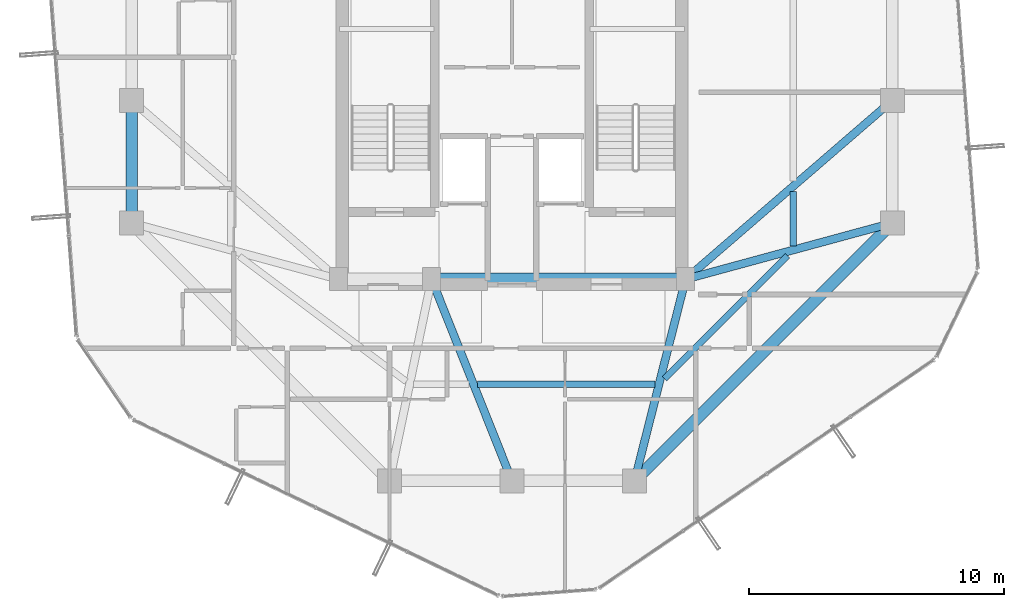
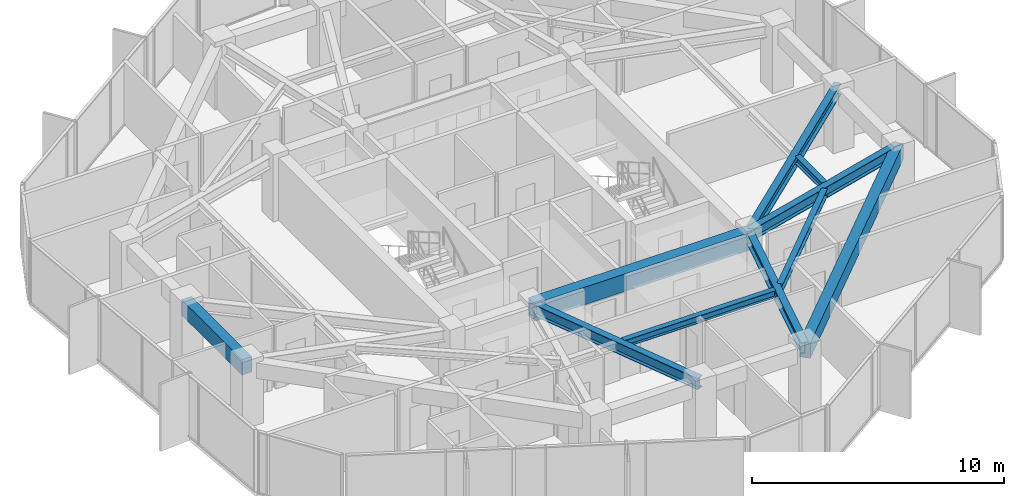
# One storey, part 11 of 34: 10 beams.
"""IFC4 building model written with IfcOpenShell, lengths in metres."""

from ifc_helpers import new_model, si_unit, direction, frame, origin, origin_2d, place, context, subcontext, project, spatial, rectangle, i_section, extrude, material, material_profile, profile_set, type_object, element, save


model = new_model("IFC4")

# Units and contexts
model_context = context("Model", 3, precision=1e-05, world=origin(), true_north=direction((0.0, 1.0)))
body_context = subcontext(model_context, "Body", "Model", "MODEL_VIEW")
ifc_project = project(units=[si_unit("LENGTHUNIT", "METRE"), si_unit("AREAUNIT", "SQUARE_METRE"), si_unit("VOLUMEUNIT", "CUBIC_METRE"), si_unit("PLANEANGLEUNIT", "RADIAN"), si_unit("MASSUNIT", "GRAM", prefix="KILO")], contexts=[model_context])

# Site, building, storey
site_placement = place(None, origin())
site = spatial("IfcSite", under=ifc_project, at=site_placement, CompositionType="ELEMENT")
building_placement = place(site_placement, origin())
building = spatial("IfcBuilding", under=site, at=building_placement, Name="Veraguas Prism Commons", CompositionType="ELEMENT")
storey_placement = place(building_placement, frame((0.0, 0.0, 191.85009765625)))
storey = spatial("IfcBuildingStorey", under=building, at=storey_placement, Name="L54", CompositionType="ELEMENT", Elevation=191.85009765625)

# Beams
ifc_material_1 = material(Name="Concrete C50/60", Category="concrete")
ifc_material_profile_1 = material_profile(ifc_material_1, rectangle(XDim=0.5, YDim=0.85009765625, at=origin_2d()), Name="RC500X850")
ifc_profile_set_1 = profile_set([ifc_material_profile_1], Name="Concrete C50/60")
beam_type_1 = type_object("IfcBeamType", Name="Core Coupling Beam RC 500x850", PredefinedType="BEAM", material=ifc_profile_set_1)
beam_1_placement = place(storey_placement, frame((20.85009765625, 17.0, 2.58984375), z_axis=(1.0, 0.0, 0.0), x_axis=(0.0, 1.0, 0.0)))
element("IfcBeam", 1, at=beam_1_placement, inside=storey, type_object=beam_type_1, Name="Core Coupling Beam L54-CRS2", PredefinedType="BEAM", context=body_context, shape_type="SweptSolid", body=[
    extrude(rectangle(XDim=0.5, YDim=0.85009765625, at=origin_2d()), origin(), (0.0, 0.0, 1.0), 9.949951171875),
])
ifc_material_profile_2 = material_profile(ifc_material_1, rectangle(XDim=0.449951171875, YDim=0.75, at=origin_2d()), Name="RC450X750")
ifc_profile_set_2 = profile_set([ifc_material_profile_2], Name="Concrete C50/60")
beam_type_2 = type_object("IfcBeamType", Name="Perimeter Spandrel Upper RC 450x750", PredefinedType="SPANDREL", material=ifc_profile_set_2)
beam_2_placement = place(storey_placement, frame((9.10009765625, 24.0, 2.639892578125), z_axis=(0.0, -1.0, 0.0), x_axis=(1.0, 0.0, 0.0)))
element("IfcBeam", 2, at=beam_2_placement, inside=storey, type_object=beam_type_2, Name="Perimeter Spandrel Beam L54-SP08", PredefinedType="SPANDREL", context=body_context, shape_type="SweptSolid", body=[
    extrude(rectangle(XDim=0.449951171875, YDim=0.75, at=origin_2d()), origin(), (0.0, 0.0, 1.0), 4.800048828125),
])
beam_3_placement = place(storey_placement, frame((28.800048828125, 9.10009765625, 2.639892578125), z_axis=(0.707106781187, 0.707106781187, 0.0), x_axis=(-0.707106781187, 0.707106781187, 0.0)))
element("IfcBeam", 3, at=beam_3_placement, inside=storey, type_object=beam_type_2, Name="Perimeter Spandrel Beam L54-SP12", PredefinedType="SPANDREL", context=body_context, shape_type="SweptSolid", body=[
    extrude(rectangle(XDim=0.449951171875, YDim=0.75, at=origin_2d()), origin(), (0.0, 0.0, 1.0), 14.283447265625),
])
ifc_material_2 = material(Name="Steel ASTM A992 Grade 50", Category="steel")
ifc_material_profile_3 = material_profile(ifc_material_2, i_section(OverallWidth=0.25390625, OverallDepth=0.35302734375, WebThickness=0.009521484375, FlangeThickness=0.016357421875, at=origin_2d()), Name="W360X91")
ifc_profile_set_3 = profile_set([ifc_material_profile_3], Name="Steel ASTM A992 Grade 50")
beam_type_3 = type_object("IfcBeamType", Name="Upper Floor Joist W360x91", PredefinedType="JOIST", material=ifc_profile_set_3)
beam_4_placement = place(storey_placement, frame((35.011962890625, 18.302978515625, 2.83837890625), z_axis=(0.0, 1.0, 0.0), x_axis=(-1.0, 0.0, 0.0)))
element("IfcBeam", 4, at=beam_4_placement, inside=storey, type_object=beam_type_3, Name="Composite Floor Joist L54-JS01", PredefinedType="JOIST", context=body_context, shape_type="SweptSolid", body=[
    extrude(i_section(OverallWidth=0.25390625, OverallDepth=0.35302734375, WebThickness=0.009521484375, FlangeThickness=0.016357421875, at=origin_2d()), origin(), (0.0, 0.0, 1.0), 2.134033203125),
])
beam_5_placement = place(storey_placement, frame((22.6533203125, 12.89208984375, 2.83837890625), z_axis=(1.0, 0.0, 0.0), x_axis=(0.0, 1.0, 0.0)))
element("IfcBeam", 5, at=beam_5_placement, inside=storey, type_object=beam_type_3, Name="Composite Floor Joist L54-JS11", PredefinedType="JOIST", context=body_context, shape_type="SweptSolid", body=[
    extrude(i_section(OverallWidth=0.25390625, OverallDepth=0.35302734375, WebThickness=0.009521484375, FlangeThickness=0.016357421875, at=origin_2d()), origin(), (0.0, 0.0, 1.0), 6.948486328125),
])
beam_6_placement = place(storey_placement, frame((29.971923828125, 13.10400390625, 2.83837890625), z_axis=(0.707124682851, 0.707088879069, 0.0), x_axis=(-0.707088879069, 0.707124682851, 0.0)))
element("IfcBeam", 6, at=beam_6_placement, inside=storey, type_object=beam_type_3, Name="Composite Floor Joist L54-JS12", PredefinedType="JOIST", context=body_context, shape_type="SweptSolid", body=[
    extrude(i_section(OverallWidth=0.25390625, OverallDepth=0.35302734375, WebThickness=0.009521484375, FlangeThickness=0.016357421875, at=origin_2d()), origin(), (0.0, 0.0, 1.0), 6.81884765625),
])
ifc_material_profile_4 = material_profile(ifc_material_2, i_section(OverallWidth=0.31103515625, OverallDepth=0.5458984375, WebThickness=0.0146484375, FlangeThickness=0.023681640625, at=origin_2d()), Name="W530X165")
ifc_profile_set_4 = profile_set([ifc_material_profile_4], Name="Steel ASTM A992 Grade 50")
beam_type_4 = type_object("IfcBeamType", Name="Zone 3 Radial Girder W530x165", PredefinedType="BEAM", material=ifc_profile_set_4)
beam_7_placement = place(storey_placement, frame((38.89990234375, 19.199951171875, 2.741943359375), z_axis=(-0.965038506703, -0.262108146725, 0.0), x_axis=(0.262108146725, -0.965038506703, 0.0)))
element("IfcBeam", 7, at=beam_7_placement, inside=storey, type_object=beam_type_4, Name="Radial Floor Girder L54-RD01", PredefinedType="BEAM", context=body_context, shape_type="SweptSolid", body=[
    extrude(i_section(OverallWidth=0.31103515625, OverallDepth=0.5458984375, WebThickness=0.0146484375, FlangeThickness=0.023681640625, at=origin_2d()), origin(), (0.0, 0.0, 1.0), 8.393310546875),
])
beam_8_placement = place(storey_placement, frame((38.89990234375, 24.0, 2.741943359375), z_axis=(-0.756607086554, -0.653869800936, 0.0), x_axis=(0.653869800936, -0.756607086554, 0.0)))
element("IfcBeam", 8, at=beam_8_placement, inside=storey, type_object=beam_type_4, Name="Radial Floor Girder L54-RD02", PredefinedType="BEAM", context=body_context, shape_type="SweptSolid", body=[
    extrude(i_section(OverallWidth=0.31103515625, OverallDepth=0.5458984375, WebThickness=0.0146484375, FlangeThickness=0.023681640625, at=origin_2d()), origin(), (0.0, 0.0, 1.0), 10.70556640625),
])
beam_9_placement = place(storey_placement, frame((24.0, 9.10009765625, 2.741943359375), z_axis=(-0.370370877803, 0.928883960931, 0.0), x_axis=(-0.928883960931, -0.370370877803, 0.0)))
element("IfcBeam", 9, at=beam_9_placement, inside=storey, type_object=beam_type_4, Name="Radial Floor Girder L54-RD11", PredefinedType="BEAM", context=body_context, shape_type="SweptSolid", body=[
    extrude(i_section(OverallWidth=0.31103515625, OverallDepth=0.5458984375, WebThickness=0.0146484375, FlangeThickness=0.023681640625, at=origin_2d()), origin(), (0.0, 0.0, 1.0), 8.504638671875),
])
beam_10_placement = place(storey_placement, frame((28.800048828125, 9.10009765625, 2.741943359375), z_axis=(0.245424718066, 0.969415652732, 0.0), x_axis=(-0.969415652732, 0.245424718066, 0.0)))
element("IfcBeam", 10, at=beam_10_placement, inside=storey, type_object=beam_type_4, Name="Radial Floor Girder L54-RD12", PredefinedType="BEAM", context=body_context, shape_type="SweptSolid", body=[
    extrude(i_section(OverallWidth=0.31103515625, OverallDepth=0.5458984375, WebThickness=0.0146484375, FlangeThickness=0.023681640625, at=origin_2d()), origin(), (0.0, 0.0, 1.0), 8.149169921875),
])

save(model, "model.ifc")
